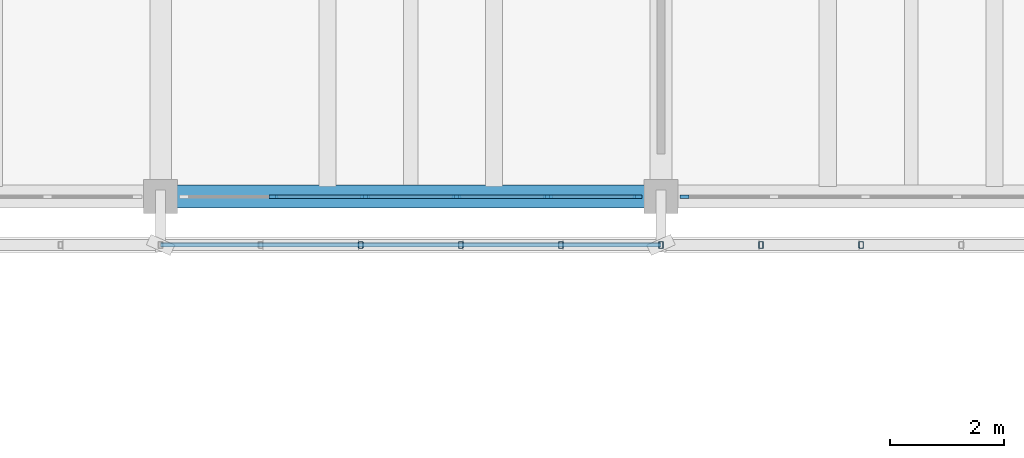
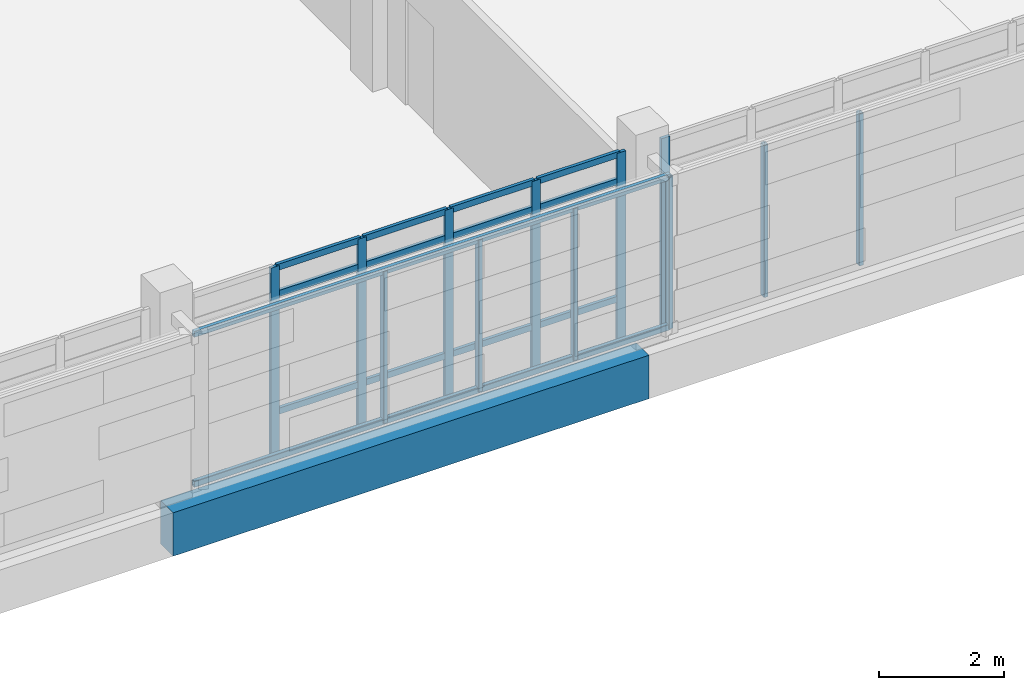
# One storey, part 61 of 137: 30 members, 1 beam, 2 elements without a shape of their own.
"""IFC4 building model written with IfcOpenShell, lengths in metres."""

from ifc_helpers import new_model, si_unit, direction, frame, origin, origin_2d, place, context, subcontext, project, spatial, rectangle, hollow_rectangle, extrude, material, material_profile, profile_set, type_object, element, aggregate, save


model = new_model("IFC4")

# Units and contexts
model_context = context("Model", 3, precision=1e-05, world=origin(), true_north=direction((0.0, 1.0)))
body_context = subcontext(model_context, "Body", "Model", "MODEL_VIEW")
ifc_project = project(units=[si_unit("LENGTHUNIT", "METRE"), si_unit("AREAUNIT", "SQUARE_METRE"), si_unit("VOLUMEUNIT", "CUBIC_METRE"), si_unit("PLANEANGLEUNIT", "RADIAN"), si_unit("MASSUNIT", "GRAM", prefix="KILO")], contexts=[model_context])

# Site, building, storey
site_placement = place(None, origin())
site = spatial("IfcSite", under=ifc_project, at=site_placement, CompositionType="ELEMENT")
building_placement = place(site_placement, origin())
building = spatial("IfcBuilding", under=site, at=building_placement, Name="Cinderway Yard Community Centre", CompositionType="ELEMENT")
storey_placement = place(building_placement, frame((0.0, 0.0, 4.800048828125)))
storey = spatial("IfcBuildingStorey", under=building, at=storey_placement, Name="L01", CompositionType="ELEMENT", Elevation=4.800048828125)

# Curtain wall, members
ifc_material_1 = material(Name="Aluminium 6063-T6", Category="aluminium")
curtain_wall_type = type_object("IfcCurtainWallType", Name="ENV-CW-TYPE-27", PredefinedType="USERDEFINED", material=ifc_material_1)
curtain_wall_1_placement = place(storey_placement, origin())
curtain_wall_1 = element("IfcCurtainWall", 1, at=curtain_wall_1_placement, inside=storey, type_object=curtain_wall_type, Name="V4 Courtyard Curtain Wall ENV-CW-L01-ST-0133", ObjectType="GLAZED CURTAIN WALL", PredefinedType="USERDEFINED")
ifc_material_profile_1 = material_profile(ifc_material_1, rectangle(XDim=0.06005859375, YDim=0.159912109375, at=origin_2d()), Name="Aluminium 6063-T6")
ifc_profile_set_1 = profile_set([ifc_material_profile_1], Name="Aluminium 6063-T6")
member_type_1 = type_object("IfcMemberType", Name="ENV-CW-MULL-150", PredefinedType="MULLION", material=ifc_profile_set_1)
member_1_placement = place(storey_placement, frame((103.587890625, 90.0, 0.0), z_axis=(0.0, 0.0, 1.0), x_axis=(0.0, 1.0, 0.0)))
member_1 = element("IfcMember", 2, at=member_1_placement, type_object=member_type_1, Name="CW-27 mullion 2", PredefinedType="MULLION", context=body_context, shape_type="SweptSolid", body=[
    extrude(rectangle(XDim=0.06005859375, YDim=0.159912109375, at=origin_2d()), origin(), (0.0, 0.0, 1.0), 3.75),
])
member_2_placement = place(storey_placement, frame((105.196044921875, 90.0, 0.0), z_axis=(0.0, 0.0, 1.0), x_axis=(0.0, 1.0, 0.0)))
member_2 = element("IfcMember", 3, at=member_2_placement, type_object=member_type_1, Name="CW-27 mullion 3", PredefinedType="MULLION", context=body_context, shape_type="SweptSolid", body=[
    extrude(rectangle(XDim=0.06005859375, YDim=0.159912109375, at=origin_2d()), origin(), (0.0, 0.0, 1.0), 3.75),
])
member_3_placement = place(storey_placement, frame((106.803955078125, 90.0, 0.0), z_axis=(0.0, 0.0, 1.0), x_axis=(0.0, 1.0, 0.0)))
member_3 = element("IfcMember", 4, at=member_3_placement, type_object=member_type_1, Name="CW-27 mullion 4", PredefinedType="MULLION", context=body_context, shape_type="SweptSolid", body=[
    extrude(rectangle(XDim=0.06005859375, YDim=0.159912109375, at=origin_2d()), origin(), (0.0, 0.0, 1.0), 3.75),
])
member_4_placement = place(storey_placement, frame((108.412109375, 90.0, 0.0), z_axis=(0.0, 0.0, 1.0), x_axis=(0.0, 1.0, 0.0)))
member_4 = element("IfcMember", 5, at=member_4_placement, type_object=member_type_1, Name="CW-27 mullion 5", PredefinedType="MULLION", context=body_context, shape_type="SweptSolid", body=[
    extrude(rectangle(XDim=0.06005859375, YDim=0.159912109375, at=origin_2d()), origin(), (0.0, 0.0, 1.0), 3.75),
])
member_5_placement = place(storey_placement, frame((109.989990234375, 90.0, 0.0), z_axis=(0.0, 0.0, 1.0), x_axis=(0.0, 1.0, 0.0)))
member_5 = element("IfcMember", 6, at=member_5_placement, type_object=member_type_1, Name="CW-27 mullion 6", PredefinedType="MULLION", context=body_context, shape_type="SweptSolid", body=[
    extrude(rectangle(XDim=0.06005859375, YDim=0.159912109375, at=origin_2d()), origin(), (0.0, 0.0, 1.0), 3.75),
])

# Curtain wall, member
curtain_wall_2_placement = place(storey_placement, origin())
curtain_wall_2 = element("IfcCurtainWall", 7, at=curtain_wall_2_placement, inside=storey, type_object=curtain_wall_type, Name="V4 Courtyard Curtain Wall ENV-CW-L01-ST-0134", ObjectType="GLAZED CURTAIN WALL", PredefinedType="USERDEFINED")
member_6_placement = place(storey_placement, frame((110.81005859375, 90.0, 0.0), z_axis=(0.0, 0.0, 1.0), x_axis=(0.0, 1.0, 0.0)))
member_6 = element("IfcMember", 8, at=member_6_placement, type_object=member_type_1, Name="CW-27 mullion 1", PredefinedType="MULLION", context=body_context, shape_type="SweptSolid", body=[
    extrude(rectangle(XDim=0.06005859375, YDim=0.159912109375, at=origin_2d()), origin(), (0.0, 0.0, 1.0), 3.75),
])
aggregate(curtain_wall_2, [member_6])

# Member
ifc_material_profile_2 = material_profile(ifc_material_1, rectangle(XDim=0.06005859375, YDim=0.1201171875, at=origin_2d()), Name="Aluminium 6063-T6")
ifc_profile_set_2 = profile_set([ifc_material_profile_2], Name="Aluminium 6063-T6")
member_type_2 = type_object("IfcMemberType", Name="ENV-CW-TRAN-110", PredefinedType="USERDEFINED", material=ifc_profile_set_2)
member_7_placement = place(storey_placement, frame((103.617919921875, 90.0, 0.030029296875), z_axis=(1.0, 0.0, 0.0), x_axis=(0.0, 1.0, 0.0)))
member_7 = element("IfcMember", 9, at=member_7_placement, type_object=member_type_2, Name="CW-27 transom 2.1", ObjectType="TRANSOM", PredefinedType="USERDEFINED", context=body_context, shape_type="SweptSolid", body=[
    extrude(rectangle(XDim=0.06005859375, YDim=0.1201171875, at=origin_2d()), origin(), (0.0, 0.0, 1.0), 1.548095703125),
])

member_8_placement = place(storey_placement, frame((103.617919921875, 90.0, 0.89990234375), z_axis=(1.0, 0.0, 0.0), x_axis=(0.0, 1.0, 0.0)))
member_8 = element("IfcMember", 10, at=member_8_placement, type_object=member_type_2, Name="CW-27 transom 2.2", ObjectType="TRANSOM", PredefinedType="USERDEFINED", context=body_context, shape_type="SweptSolid", body=[
    extrude(rectangle(XDim=0.06005859375, YDim=0.1201171875, at=origin_2d()), origin(), (0.0, 0.0, 1.0), 1.548095703125),
])

member_9_placement = place(storey_placement, frame((103.617919921875, 90.0, 3.199951171875), z_axis=(1.0, 0.0, 0.0), x_axis=(0.0, 1.0, 0.0)))
member_9 = element("IfcMember", 11, at=member_9_placement, type_object=member_type_2, Name="CW-27 transom 2.3", ObjectType="TRANSOM", PredefinedType="USERDEFINED", context=body_context, shape_type="SweptSolid", body=[
    extrude(rectangle(XDim=0.06005859375, YDim=0.1201171875, at=origin_2d()), origin(), (0.0, 0.0, 1.0), 1.548095703125),
])

member_10_placement = place(storey_placement, frame((103.617919921875, 90.0, 3.719970703125), z_axis=(1.0, 0.0, 0.0), x_axis=(0.0, 1.0, 0.0)))
member_10 = element("IfcMember", 12, at=member_10_placement, type_object=member_type_2, Name="CW-27 transom 2.4", ObjectType="TRANSOM", PredefinedType="USERDEFINED", context=body_context, shape_type="SweptSolid", body=[
    extrude(rectangle(XDim=0.06005859375, YDim=0.1201171875, at=origin_2d()), origin(), (0.0, 0.0, 1.0), 1.548095703125),
])

member_11_placement = place(storey_placement, frame((105.22607421875, 90.0, 0.030029296875), z_axis=(1.0, 0.0, 0.0), x_axis=(0.0, 1.0, 0.0)))
member_11 = element("IfcMember", 13, at=member_11_placement, type_object=member_type_2, Name="CW-27 transom 3.1", ObjectType="TRANSOM", PredefinedType="USERDEFINED", context=body_context, shape_type="SweptSolid", body=[
    extrude(rectangle(XDim=0.06005859375, YDim=0.1201171875, at=origin_2d()), origin(), (0.0, 0.0, 1.0), 1.5478515625),
])

member_12_placement = place(storey_placement, frame((105.22607421875, 90.0, 0.89990234375), z_axis=(1.0, 0.0, 0.0), x_axis=(0.0, 1.0, 0.0)))
member_12 = element("IfcMember", 14, at=member_12_placement, type_object=member_type_2, Name="CW-27 transom 3.2", ObjectType="TRANSOM", PredefinedType="USERDEFINED", context=body_context, shape_type="SweptSolid", body=[
    extrude(rectangle(XDim=0.06005859375, YDim=0.1201171875, at=origin_2d()), origin(), (0.0, 0.0, 1.0), 1.5478515625),
])

member_13_placement = place(storey_placement, frame((105.22607421875, 90.0, 3.199951171875), z_axis=(1.0, 0.0, 0.0), x_axis=(0.0, 1.0, 0.0)))
member_13 = element("IfcMember", 15, at=member_13_placement, type_object=member_type_2, Name="CW-27 transom 3.3", ObjectType="TRANSOM", PredefinedType="USERDEFINED", context=body_context, shape_type="SweptSolid", body=[
    extrude(rectangle(XDim=0.06005859375, YDim=0.1201171875, at=origin_2d()), origin(), (0.0, 0.0, 1.0), 1.5478515625),
])

member_14_placement = place(storey_placement, frame((105.22607421875, 90.0, 3.719970703125), z_axis=(1.0, 0.0, 0.0), x_axis=(0.0, 1.0, 0.0)))
member_14 = element("IfcMember", 16, at=member_14_placement, type_object=member_type_2, Name="CW-27 transom 3.4", ObjectType="TRANSOM", PredefinedType="USERDEFINED", context=body_context, shape_type="SweptSolid", body=[
    extrude(rectangle(XDim=0.06005859375, YDim=0.1201171875, at=origin_2d()), origin(), (0.0, 0.0, 1.0), 1.5478515625),
])

member_15_placement = place(storey_placement, frame((106.833984375, 90.0, 0.030029296875), z_axis=(1.0, 0.0, 0.0), x_axis=(0.0, 1.0, 0.0)))
member_15 = element("IfcMember", 17, at=member_15_placement, type_object=member_type_2, Name="CW-27 transom 4.1", ObjectType="TRANSOM", PredefinedType="USERDEFINED", context=body_context, shape_type="SweptSolid", body=[
    extrude(rectangle(XDim=0.06005859375, YDim=0.1201171875, at=origin_2d()), origin(), (0.0, 0.0, 1.0), 1.548095703125),
])

member_16_placement = place(storey_placement, frame((106.833984375, 90.0, 0.89990234375), z_axis=(1.0, 0.0, 0.0), x_axis=(0.0, 1.0, 0.0)))
member_16 = element("IfcMember", 18, at=member_16_placement, type_object=member_type_2, Name="CW-27 transom 4.2", ObjectType="TRANSOM", PredefinedType="USERDEFINED", context=body_context, shape_type="SweptSolid", body=[
    extrude(rectangle(XDim=0.06005859375, YDim=0.1201171875, at=origin_2d()), origin(), (0.0, 0.0, 1.0), 1.548095703125),
])

member_17_placement = place(storey_placement, frame((106.833984375, 90.0, 3.199951171875), z_axis=(1.0, 0.0, 0.0), x_axis=(0.0, 1.0, 0.0)))
member_17 = element("IfcMember", 19, at=member_17_placement, type_object=member_type_2, Name="CW-27 transom 4.3", ObjectType="TRANSOM", PredefinedType="USERDEFINED", context=body_context, shape_type="SweptSolid", body=[
    extrude(rectangle(XDim=0.06005859375, YDim=0.1201171875, at=origin_2d()), origin(), (0.0, 0.0, 1.0), 1.548095703125),
])

member_18_placement = place(storey_placement, frame((106.833984375, 90.0, 3.719970703125), z_axis=(1.0, 0.0, 0.0), x_axis=(0.0, 1.0, 0.0)))
member_18 = element("IfcMember", 20, at=member_18_placement, type_object=member_type_2, Name="CW-27 transom 4.4", ObjectType="TRANSOM", PredefinedType="USERDEFINED", context=body_context, shape_type="SweptSolid", body=[
    extrude(rectangle(XDim=0.06005859375, YDim=0.1201171875, at=origin_2d()), origin(), (0.0, 0.0, 1.0), 1.548095703125),
])

member_19_placement = place(storey_placement, frame((108.44189453125, 90.0, 0.030029296875), z_axis=(1.0, 0.0, 0.0), x_axis=(0.0, 1.0, 0.0)))
member_19 = element("IfcMember", 21, at=member_19_placement, type_object=member_type_2, Name="CW-27 transom 5.1", ObjectType="TRANSOM", PredefinedType="USERDEFINED", context=body_context, shape_type="SweptSolid", body=[
    extrude(rectangle(XDim=0.06005859375, YDim=0.1201171875, at=origin_2d()), origin(), (0.0, 0.0, 1.0), 1.51806640625),
])

member_20_placement = place(storey_placement, frame((108.44189453125, 90.0, 0.89990234375), z_axis=(1.0, 0.0, 0.0), x_axis=(0.0, 1.0, 0.0)))
member_20 = element("IfcMember", 22, at=member_20_placement, type_object=member_type_2, Name="CW-27 transom 5.2", ObjectType="TRANSOM", PredefinedType="USERDEFINED", context=body_context, shape_type="SweptSolid", body=[
    extrude(rectangle(XDim=0.06005859375, YDim=0.1201171875, at=origin_2d()), origin(), (0.0, 0.0, 1.0), 1.51806640625),
])

member_21_placement = place(storey_placement, frame((108.44189453125, 90.0, 3.199951171875), z_axis=(1.0, 0.0, 0.0), x_axis=(0.0, 1.0, 0.0)))
member_21 = element("IfcMember", 23, at=member_21_placement, type_object=member_type_2, Name="CW-27 transom 5.3", ObjectType="TRANSOM", PredefinedType="USERDEFINED", context=body_context, shape_type="SweptSolid", body=[
    extrude(rectangle(XDim=0.06005859375, YDim=0.1201171875, at=origin_2d()), origin(), (0.0, 0.0, 1.0), 1.51806640625),
])

member_22_placement = place(storey_placement, frame((108.44189453125, 90.0, 3.719970703125), z_axis=(1.0, 0.0, 0.0), x_axis=(0.0, 1.0, 0.0)))
member_22 = element("IfcMember", 24, at=member_22_placement, type_object=member_type_2, Name="CW-27 transom 5.4", ObjectType="TRANSOM", PredefinedType="USERDEFINED", context=body_context, shape_type="SweptSolid", body=[
    extrude(rectangle(XDim=0.06005859375, YDim=0.1201171875, at=origin_2d()), origin(), (0.0, 0.0, 1.0), 1.51806640625),
])

aggregate(curtain_wall_1, [member_1, member_2, member_3, member_4, member_5, member_7, member_8, member_9, member_10, member_11, member_12, member_13, member_14, member_15, member_16, member_17, member_18, member_19, member_20, member_21, member_22])

# Members
ifc_material_2 = material(Name="Steel S355", Category="steel")
ifc_material_profile_3 = material_profile(ifc_material_2, hollow_rectangle(XDim=0.080078125, YDim=0.1201171875, WallThickness=0.00634765625, InnerFilletRadius=0.00634765625, OuterFilletRadius=0.0126953125, at=origin_2d()), Name="Steel S355")
ifc_profile_set_3 = profile_set([ifc_material_profile_3], Name="Steel S355")
member_type_3 = type_object("IfcMemberType", Name="ENV-MEM-SCREEN-RAIL-120", PredefinedType="STRINGER", material=ifc_profile_set_3)
for number, where, z_axis, x_axis, name in (
    (25, (101.60009765625, 89.14990234375, 0.7099609375), (1.0, 0.0, 0.0), (0.0, 1.0, 0.0), "Screen support rail 0374-BOT"),
    (26, (101.60009765625, 89.14990234375, 3.639892578125), (1.0, 0.0, 0.0), (0.0, 1.0, 0.0), "Screen support rail 0375-TOP"),
):
    element("IfcMember", number, at=place(storey_placement, frame(where, z_axis=z_axis, x_axis=x_axis)), inside=storey, type_object=member_type_3, Name=name, PredefinedType="STRINGER", context=body_context, shape_type="SweptSolid", body=[
        extrude(hollow_rectangle(XDim=0.080078125, YDim=0.1201171875, WallThickness=0.00634765625, InnerFilletRadius=0.00634765625, OuterFilletRadius=0.0126953125, at=origin_2d()), origin(), (0.0, 0.0, 1.0), 8.7998046875),
    ])
for number, where, z_axis, x_axis, name in (
    (27, (105.1201171875, 89.14990234375, 0.68994140625), (0.0, 0.0, 1.0), (1.0, 0.0, 0.0), "Screen vertical mullion 0377"),
    (28, (106.8798828125, 89.14990234375, 0.68994140625), (0.0, 0.0, 1.0), (1.0, 0.0, 0.0), "Screen vertical mullion 0378"),
    (29, (108.639892578125, 89.14990234375, 0.68994140625), (0.0, 0.0, 1.0), (1.0, 0.0, 0.0), "Screen vertical mullion 0379"),
    (30, (110.39990234375, 89.14990234375, 0.68994140625), (0.0, 0.0, 1.0), (1.0, 0.0, 0.0), "Screen vertical mullion 0380"),
    (31, (112.159912109375, 89.14990234375, 0.68994140625), (0.0, 0.0, 1.0), (1.0, 0.0, 0.0), "Screen vertical mullion 0384"),
    (32, (113.919921875, 89.14990234375, 0.68994140625), (0.0, 0.0, 1.0), (1.0, 0.0, 0.0), "Screen vertical mullion 0385"),
):
    element("IfcMember", number, at=place(storey_placement, frame(where, z_axis=z_axis, x_axis=x_axis)), inside=storey, type_object=member_type_3, Name=name, PredefinedType="STRINGER", context=body_context, shape_type="SweptSolid", body=[
        extrude(hollow_rectangle(XDim=0.080078125, YDim=0.1201171875, WallThickness=0.00634765625, InnerFilletRadius=0.00634765625, OuterFilletRadius=0.0126953125, at=origin_2d()), origin(), (0.0, 0.0, 1.0), 2.969970703125),
    ])

# Beam
ifc_material_3 = material(Name="Concrete C40/50", Category="concrete")
ifc_material_profile_4 = material_profile(ifc_material_3, rectangle(XDim=0.39990234375, YDim=0.85009765625, at=origin_2d()), Name="Concrete C40/50")
ifc_profile_set_4 = profile_set([ifc_material_profile_4], Name="Concrete C40/50")
beam_type = type_object("IfcBeamType", Name="STR-BM-RC400X850", PredefinedType="BEAM", material=ifc_profile_set_4)
beam_placement = place(storey_placement, frame((101.60009765625, 90.0, -0.68505859375), z_axis=(1.0, 0.0, 0.0), x_axis=(0.0, 1.0, 0.0)))
element("IfcBeam", 33, at=beam_placement, inside=storey, type_object=beam_type, Name="Primary girder STR-BM-L01-BG04-0179", PredefinedType="BEAM", context=body_context, shape_type="SweptSolid", body=[
    extrude(rectangle(XDim=0.39990234375, YDim=0.85009765625, at=origin_2d()), origin(), (0.0, 0.0, 1.0), 8.7998046875),
])

save(model, "model.ifc")
